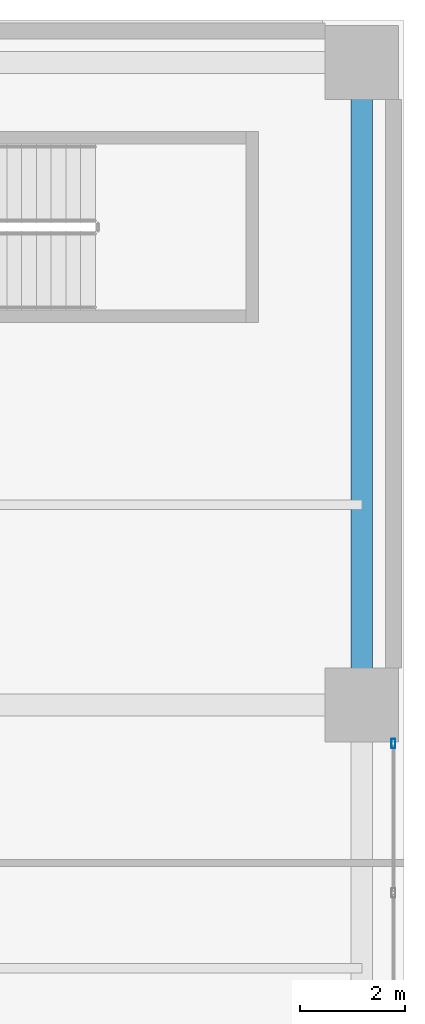
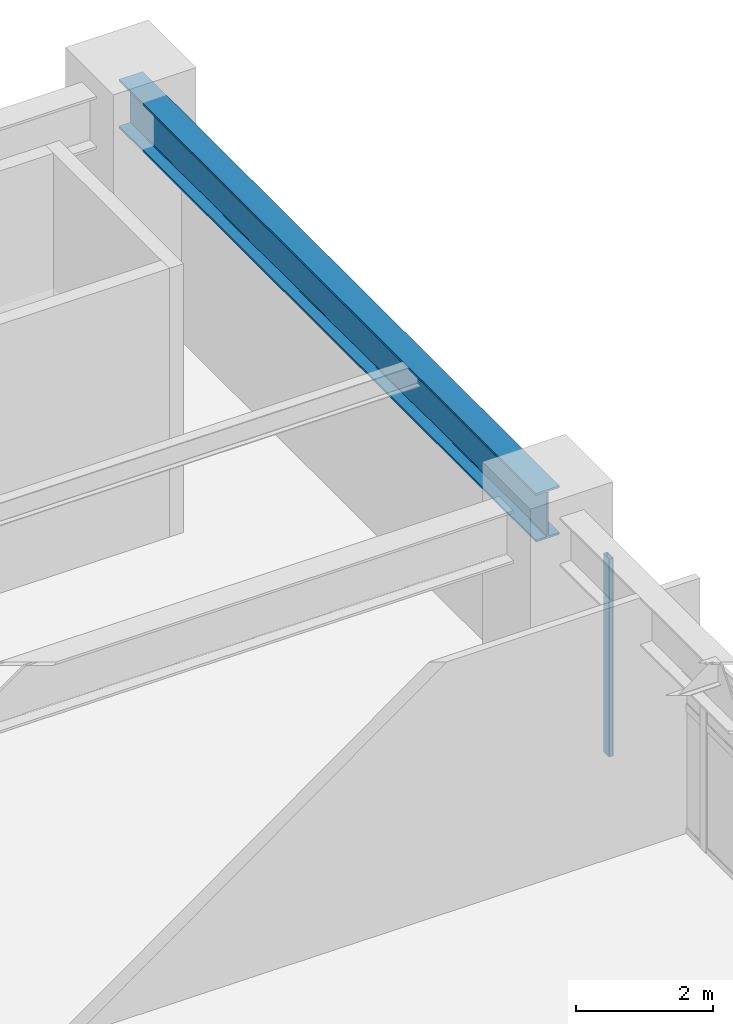
# One storey, part 18 of 28: 1 beam, 1 member, 1 element without a shape of its own.
"""IFC4 building model written with IfcOpenShell, lengths in metres."""

import ifcopenshell
import ifcopenshell.guid

model = None  # the IFC model being written
_history = None  # IfcOwnerHistory: only IFC2X3 demands one
_inside = {}  # id of a spatial element -> (the spatial element, [elements in it])
_under = {}  # id of a project, library or spatial element -> (it, [spatial elements below it])
_declared = {}  # id of a project -> (the project, [libraries it declares])
_typed = {}  # id of a type object -> (the type object, [elements of that type])
_made_of = {}  # id of a material, layer set ... -> (it, [elements and type objects made of it])


def new_model(schema):
    """Start an empty IFC model of exactly this schema.

    Asked for "IFC4X3", IfcOpenShell would pick the latest addendum, in which some entities
    have other attributes; the version numbers below select the first issue.
    IFC2X3 requires an IfcOwnerHistory on every rooted entity: one is made here for all.
    """
    global model, _history
    if schema == "IFC4X3":
        model = ifcopenshell.file(schema_version=(4, 3, 0, 0))
    else:
        model = ifcopenshell.file(schema=schema)
    _inside.clear()
    _under.clear()
    _declared.clear()
    _typed.clear()
    _made_of.clear()
    _history = None
    if model.schema == "IFC2X3":
        org = make("IfcOrganization", Name="unknown")
        user = make(
            "IfcPersonAndOrganization",
            ThePerson=make("IfcPerson", FamilyName="unknown"),
            TheOrganization=org,
        )
        app = make(
            "IfcApplication",
            ApplicationDeveloper=org,
            Version="unknown",
            ApplicationFullName="unknown",
            ApplicationIdentifier="unknown",
        )
        _history = make(
            "IfcOwnerHistory",
            OwningUser=user,
            OwningApplication=app,
            ChangeAction="ADDED",
            CreationDate=0,
        )
    return model


def make(cls, **values):
    """One entity of the class cls with the attributes given. An attribute that is None is left unset."""
    return model.create_entity(
        cls, **{name: value for name, value in values.items() if value is not None}
    )


def rooted(cls, **values):
    """An entity with a GlobalId (a new one), such as an element, a storey or a relation."""
    return make(cls, GlobalId=ifcopenshell.guid.new(), OwnerHistory=_history, **values)


def si_unit(unit_type, name, prefix=None):
    """IfcSIUnit, for example si_unit("LENGTHUNIT", "METRE", prefix="MILLI")."""
    return make("IfcSIUnit", UnitType=unit_type, Prefix=prefix, Name=name)


def assignment(units):
    """IfcUnitAssignment: the units of a project."""
    return None if units is None else make("IfcUnitAssignment", Units=units)


def point(xyz):
    """IfcCartesianPoint."""
    return None if xyz is None else make("IfcCartesianPoint", Coordinates=xyz)


def direction(xyz):
    """IfcDirection."""
    return None if xyz is None else make("IfcDirection", DirectionRatios=xyz)


def frame(location, z_axis=None, x_axis=None):
    """IfcAxis2Placement3D, a coordinate frame: its origin and axes. An axis left out is left unset."""
    return make(
        "IfcAxis2Placement3D",
        Location=point(location),
        Axis=direction(z_axis),
        RefDirection=direction(x_axis),
    )


def frame_2d(location, x_axis=None):
    """IfcAxis2Placement2D, a coordinate frame in the plane: its origin and x axis."""
    return make(
        "IfcAxis2Placement2D", Location=point(location), RefDirection=direction(x_axis)
    )


def origin():
    """The frame at (0, 0, 0) with its axes left unset."""
    return frame((0.0, 0.0, 0.0))


def origin_2d():
    """The frame at (0, 0) in the plane with its x axis left unset."""
    return frame_2d((0.0, 0.0))


def place(relative_to, where):
    """IfcLocalPlacement: puts the frame where relative to a parent placement (None: the world)."""
    return make(
        "IfcLocalPlacement", PlacementRelTo=relative_to, RelativePlacement=where
    )


def context(
    kind, dimensions, precision=None, world=None, true_north=None, identifier=None
):
    """IfcGeometricRepresentationContext, for example the 3D "Model" context."""
    return make(
        "IfcGeometricRepresentationContext",
        ContextIdentifier=identifier,
        ContextType=kind,
        CoordinateSpaceDimension=dimensions,
        Precision=precision,
        WorldCoordinateSystem=world,
        TrueNorth=true_north,
    )


def subcontext(parent, identifier, kind, view, scale=None):
    """IfcGeometricRepresentationSubContext, for example "Body" below "Model"."""
    return make(
        "IfcGeometricRepresentationSubContext",
        ContextIdentifier=identifier,
        ContextType=kind,
        ParentContext=parent,
        TargetScale=scale,
        TargetView=view,
    )


def project(units=None, contexts=None):
    """IfcProject with its units and contexts."""
    return rooted(
        "IfcProject",
        Name="project",
        RepresentationContexts=contexts,
        UnitsInContext=assignment(units),
    )


def spatial(cls, under=None, at=None, **own):
    """A site, building, storey or space (cls), placed at a placement, below another one or the project."""
    s = rooted(cls, ObjectPlacement=at, **own)
    if under is not None:
        _under.setdefault(under.id(), (under, []))[1].append(s)
    return s


def profile(cls, at=None, kind="AREA", **sizes):
    """A parametric profile (cls). Its sizes go by their IFC names, for example OverallWidth=200.0."""
    return make(cls, ProfileType=kind, Position=at, **sizes)


def hollow_rectangle(**sizes):
    """IfcRectangleHollowProfileDef."""
    return profile("IfcRectangleHollowProfileDef", **sizes)


def i_section(**sizes):
    """IfcIShapeProfileDef."""
    return profile("IfcIShapeProfileDef", **sizes)


def extrude(swept, where, along, depth):
    """IfcExtrudedAreaSolid: the profile swept, set in the frame where, extruded along a direction by depth."""
    return make(
        "IfcExtrudedAreaSolid",
        SweptArea=swept,
        Position=where,
        ExtrudedDirection=direction(along),
        Depth=depth,
    )


def shape(context_of_items, identifier, shape_type, items):
    """IfcShapeRepresentation: the items that make up one representation, for example the "Body"."""
    return make(
        "IfcShapeRepresentation",
        ContextOfItems=context_of_items,
        RepresentationIdentifier=identifier,
        RepresentationType=shape_type,
        Items=items,
    )


def material(Name=None, Category=None):
    """IfcMaterial."""
    return make("IfcMaterial", Name=Name, Category=Category)


def layer(
    of_material, thickness, ventilated=None, Name=None, Category=None, Priority=None
):
    """IfcMaterialLayer: one layer of a wall or slab, of a material (None: an air gap)."""
    return make(
        "IfcMaterialLayer",
        Material=of_material,
        LayerThickness=thickness,
        IsVentilated=ventilated,
        Name=Name,
        Category=Category,
        Priority=Priority,
    )


def layer_set(layers, Name=None):
    """IfcMaterialLayerSet."""
    return make("IfcMaterialLayerSet", MaterialLayers=layers, LayerSetName=Name)


def material_profile(
    of_material, cross_section, Name=None, Category=None, Priority=None
):
    """IfcMaterialProfile: a cross section and its material."""
    return make(
        "IfcMaterialProfile",
        Name=Name,
        Material=of_material,
        Profile=cross_section,
        Priority=Priority,
        Category=Category,
    )


def profile_set(profiles, Name=None, composite=None):
    """IfcMaterialProfileSet."""
    return make(
        "IfcMaterialProfileSet",
        Name=Name,
        MaterialProfiles=profiles,
        CompositeProfile=composite,
    )


def made_of(thing, what):
    """Note that an element or type object is made of a material, layer set ...; save() writes the relation."""
    if what is not None:
        _made_of.setdefault(what.id(), (what, []))[1].append(thing)
    return thing


def type_object(cls, material=None, **own):
    """A type object (cls), such as IfcWallType, which elements share."""
    return made_of(rooted(cls, **own), material)


def element(
    cls,
    number,
    at=None,
    inside=None,
    cuts=None,
    type_object=None,
    material=None,
    context=None,
    identifier="Body",
    shape_type=None,
    held_by="IfcProductDefinitionShape",
    body=None,
    shapes=None,
    **own,
):
    """One element of the class cls, such as IfcWall. Its Tag is "e" and its number.

    at: its placement. inside: the storey or other place that contains it. cuts: it is an
    opening in that element (IfcRelVoidsElement). A single representation is given by context,
    identifier, shape_type and body (its items); several are given by shapes. held_by: the class
    of the entity that holds the representations. save() writes the other relations.
    """
    e = rooted(cls, Tag="e%d" % number, ObjectPlacement=at, **own)
    if body is not None:
        shapes = [shape(context, identifier, shape_type, body)]
    if shapes is not None:
        e.Representation = make(held_by, Representations=shapes)
    if inside is not None:
        _inside.setdefault(inside.id(), (inside, []))[1].append(e)
    if cuts is not None:
        rooted(
            "IfcRelVoidsElement", RelatingBuildingElement=cuts, RelatedOpeningElement=e
        )
    if type_object is not None:
        _typed.setdefault(type_object.id(), (type_object, []))[1].append(e)
    return made_of(e, material)


def aggregate(whole, parts):
    """IfcRelAggregates: a whole, such as a stair, and the parts it consists of."""
    return rooted("IfcRelAggregates", RelatingObject=whole, RelatedObjects=parts)


def save(model, path):
    """Write the relations noted so far, then the file.

    IfcRelAggregates (storeys below a building ...), IfcRelContainedInSpatialStructure (elements
    in a storey), IfcRelDefinesByType, IfcRelAssociatesMaterial and IfcRelDeclares: one each for
    every whole, place, type object, material and project.
    """
    for whole, parts in _under.values():
        aggregate(whole, parts)
    for where, things in _inside.values():
        rooted(
            "IfcRelContainedInSpatialStructure",
            RelatedElements=things,
            RelatingStructure=where,
        )
    for kind, things in _typed.values():
        rooted("IfcRelDefinesByType", RelatedObjects=things, RelatingType=kind)
    for what, things in _made_of.values():
        rooted("IfcRelAssociatesMaterial", RelatedObjects=things, RelatingMaterial=what)
    for by, libraries in _declared.values():
        rooted("IfcRelDeclares", RelatingContext=by, RelatedDefinitions=libraries)
    model.write(path)


model = new_model("IFC4")

# Units and contexts
model_context = context("Model", 3, precision=1e-05, world=origin(), true_north=direction((0.0, 1.0)))
body_context = subcontext(model_context, "Body", "Model", "MODEL_VIEW")
ifc_project = project(units=[si_unit("LENGTHUNIT", "METRE"), si_unit("AREAUNIT", "SQUARE_METRE"), si_unit("VOLUMEUNIT", "CUBIC_METRE"), si_unit("PLANEANGLEUNIT", "RADIAN"), si_unit("MASSUNIT", "GRAM", prefix="KILO")], contexts=[model_context])

# Site, building, storey
site_placement = place(None, origin())
site = spatial("IfcSite", under=ifc_project, at=site_placement, CompositionType="ELEMENT")
building_placement = place(site_placement, origin())
building = spatial("IfcBuilding", under=site, at=building_placement, Name="Soratama Intermodal Tower", CompositionType="ELEMENT")
storey_placement = place(building_placement, frame((0.0, 0.0, 11.39990234375)))
storey = spatial("IfcBuildingStorey", under=building, at=storey_placement, Name="L02", CompositionType="ELEMENT", Elevation=11.39990234375)

# Beam
ifc_material_1 = material(Name="Structural steel ASTM A992 Grade 50", Category="steel")
ifc_material_profile_1 = material_profile(ifc_material_1, i_section(OverallWidth=0.403076171875, OverallDepth=0.867919921875, WebThickness=0.02099609375, FlangeThickness=0.03564453125, FilletRadius=0.01806640625, at=origin_2d()), Name="W33X241")
ifc_profile_set_1 = profile_set([ifc_material_profile_1], Name="Structural steel ASTM A992 Grade 50")
beam_type = type_object("IfcBeamType", Name="BM-POD-EXT-W33", PredefinedType="BEAM", material=ifc_profile_set_1)
beam_placement = place(storey_placement, frame((83.199951171875, 35.0, 4.046142578125), z_axis=(0.0, 1.0, 0.0), x_axis=(-1.0, 0.0, 0.0)))
element("IfcBeam", 1, at=beam_placement, inside=storey, type_object=beam_type, Name="L02 Station Girder Y4-4", PredefinedType="BEAM", context=body_context, shape_type="SweptSolid", body=[
    extrude(i_section(OverallWidth=0.403076171875, OverallDepth=0.867919921875, WebThickness=0.02099609375, FlangeThickness=0.03564453125, FilletRadius=0.01806640625, at=origin_2d()), origin(), (0.0, 0.0, 1.0), 12.199951171875),
])

# Curtain wall, member
ifc_material_2 = material(Name="Double-glazed aluminium curtain wall", Category="aluminium")
ifc_layer = layer(ifc_material_2, 0.159912109375)
ifc_layer_set = layer_set([ifc_layer], Name="Double-glazed aluminium curtain wall")
curtain_wall_type = type_object("IfcCurtainWallType", Name="CW-SYS-1", PredefinedType="NOTDEFINED", material=ifc_layer_set)
curtain_wall_placement = place(storey_placement, origin())
curtain_wall = element("IfcCurtainWall", 2, at=curtain_wall_placement, inside=storey, type_object=curtain_wall_type, Name="L02 Station Curtain Wall E2", PredefinedType="NOTDEFINED")
ifc_material_3 = material(Name="Anodised aluminium AA 6063-T6", Category="aluminium")
ifc_material_profile_2 = material_profile(ifc_material_3, hollow_rectangle(XDim=0.074951171875, YDim=0.179931640625, WallThickness=0.006103515625, InnerFilletRadius=0.006103515625, OuterFilletRadius=0.011962890625, at=origin_2d()), Name="CWM180X75X6")
ifc_profile_set_2 = profile_set([ifc_material_profile_2], Name="Anodised aluminium AA 6063-T6")
member_type = type_object("IfcMemberType", Name="MT-CWM-1", PredefinedType="MULLION", material=ifc_profile_set_2)
member_placement = place(storey_placement, frame((83.800048828125, 34.27001953125, 0.0), z_axis=(0.0, 0.0, 1.0), x_axis=(-1.0, 0.0, 0.0)))
member = element("IfcMember", 3, at=member_placement, type_object=member_type, Name="CW-1 mullion 4", PredefinedType="MULLION", context=body_context, shape_type="SweptSolid", body=[
    extrude(hollow_rectangle(XDim=0.074951171875, YDim=0.179931640625, WallThickness=0.006103515625, InnerFilletRadius=0.006103515625, OuterFilletRadius=0.011962890625, at=origin_2d()), origin(), (0.0, 0.0, 1.0), 3.5361328125),
])
aggregate(curtain_wall, [member])

save(model, "model.ifc")
